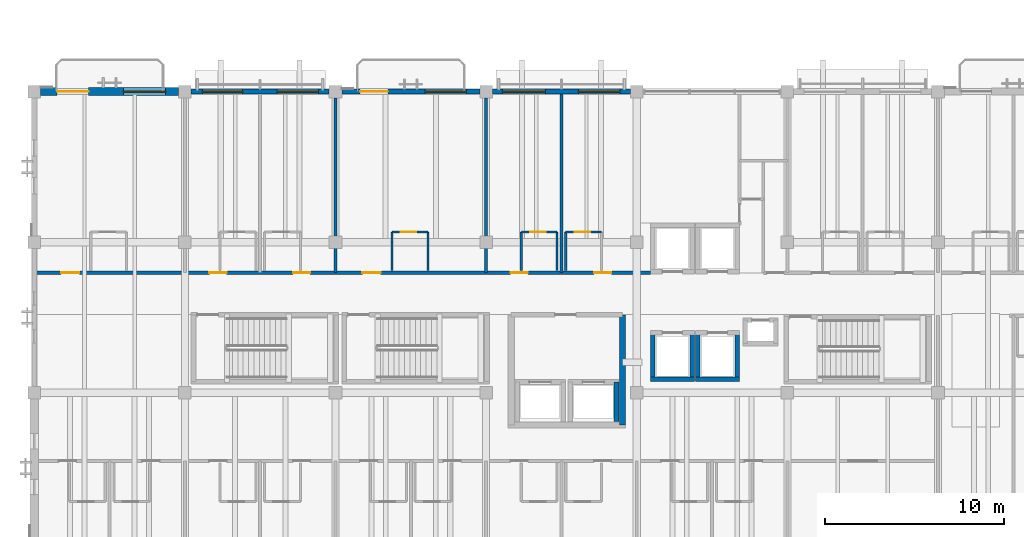
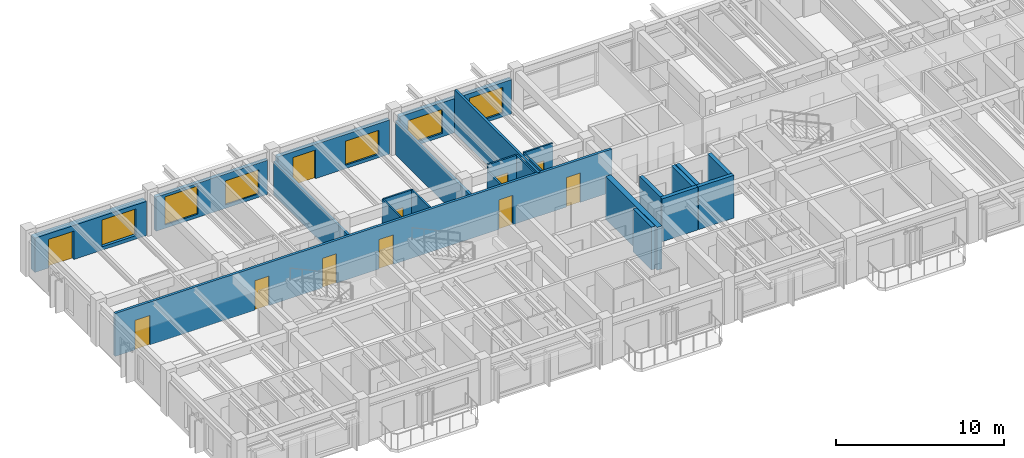
# One storey, part 37 of 64: 24 walls, 11 doors, 6 windows, 17 openings.
"""IFC4 building model written with IfcOpenShell, lengths in metres."""

from ifc_helpers import new_model, si_unit, direction, frame, frame_2d, origin, place, context, subcontext, project, spatial, rectangle, extrude, material, layer, layer_set, type_object, element, fill, save


model = new_model("IFC4")

# Units and contexts
model_context = context("Model", 3, precision=1e-05, world=origin(), true_north=direction((0.0, 1.0)))
body_context = subcontext(model_context, "Body", "Model", "MODEL_VIEW")
ifc_project = project(units=[si_unit("LENGTHUNIT", "METRE"), si_unit("AREAUNIT", "SQUARE_METRE"), si_unit("VOLUMEUNIT", "CUBIC_METRE"), si_unit("PLANEANGLEUNIT", "RADIAN"), si_unit("MASSUNIT", "GRAM", prefix="KILO")], contexts=[model_context])

# Site, building, storey
site_placement = place(None, origin())
site = spatial("IfcSite", under=ifc_project, at=site_placement, CompositionType="ELEMENT")
building_placement = place(site_placement, origin())
building = spatial("IfcBuilding", under=site, at=building_placement, Name="Cumbredor Promenade Congress Hotel", CompositionType="ELEMENT")
storey_placement = place(building_placement, frame((0.0, 0.0, 18.47998046875)))
storey = spatial("IfcBuildingStorey", under=building, at=storey_placement, Name="L05", CompositionType="ELEMENT", Elevation=18.47998046875)

# Wall
ifc_material_1 = material(Name="Concrete C50/60", Category="concrete")
ifc_layer_1 = layer(ifc_material_1, 0.35009765625, Name="Concrete C50/60", Category="concrete")
ifc_layer_set_1 = layer_set([ifc_layer_1], Name="Concrete C50/60")
wall_type_1 = type_object("IfcWallType", Name="Seismic Shear Core Wall 350mm", PredefinedType="SHEAR", material=ifc_layer_set_1)
wall_1_placement = place(storey_placement, frame((32.800048828125, 99.0, 0.0), z_axis=(0.0, 0.0, 1.0), x_axis=(0.0, 1.0, 0.0)))
element("IfcWall", 1, at=wall_1_placement, inside=storey, type_object=wall_type_1, Name="L05 Hotel Core Shear Wall E1", PredefinedType="SHEAR", context=body_context, shape_type="SweptSolid", body=[
    extrude(rectangle(XDim=6.14990234375, YDim=0.35009765625, at=frame_2d((3.074951171875, 0.0))), origin(), (0.0, 0.0, 1.0), 3.1201171875),
])

# Wall, opening, door
ifc_material_2 = material(Name="Moisture-resistant gypsum board on steel studs", Category="steel")
ifc_layer_2 = layer(ifc_material_2, 0.114990234375, Name="Moisture-resistant gypsum board on steel studs", Category="steel")
ifc_layer_set_2 = layer_set([ifc_layer_2], Name="Moisture-resistant gypsum board on steel studs")
wall_type_2 = type_object("IfcWallType", Name="WL-BATH-115", PredefinedType="PARTITIONING", material=ifc_layer_set_2)
wall_2_placement = place(storey_placement, frame((19.949951171875, 109.77001953125, 0.0), z_axis=(0.0, 0.0, 1.0), x_axis=(1.0, 0.0, 0.0)))
wall_2 = element("IfcWall", 2, at=wall_2_placement, inside=storey, type_object=wall_type_2, Name="L05 Interior Partition W-L05-BH-0504", PredefinedType="PARTITIONING", context=body_context, shape_type="SweptSolid", body=[
    extrude(rectangle(XDim=2.0, YDim=0.114990234375, at=frame_2d((1.0, 0.0))), origin(), (0.0, 0.0, 1.0), 3.1201171875),
])
opening_1_placement = place(wall_2_placement, frame((0.5, 0.0, 0.0)))
opening_1 = element("IfcOpeningElement", 3, at=opening_1_placement, cuts=wall_2, Name="Opening ID-01", PredefinedType="OPENING", context=body_context, shape_type="SweptSolid", body=[
    extrude(rectangle(XDim=0.860107421875, YDim=2.050048828125, at=frame_2d((0.43017578125, 1.02490234375))), frame((0.0, 0.0673828125, 0.0), z_axis=(0.0, -1.0, 0.0), x_axis=(1.0, 0.0, 0.0)), (0.0, 0.0, 1.0), 0.135009765625),
])
ifc_material_3 = material(Name="Kiln-dried tropical hardwood", Category="wood")
door_type_1 = type_object("IfcDoorType", Name="DR-BATH-860", OperationType="NOTDEFINED", PredefinedType="DOOR", material=ifc_material_3)
door_1_placement = place(opening_1_placement, origin())
door_1 = element("IfcDoor", 4, at=door_1_placement, inside=storey, type_object=door_type_1, Name="L05 Interior Door W-L05-BH-0504-01", OperationType="SINGLE_SWING_LEFT", OverallHeight=2.050048828125, OverallWidth=0.860107421875, PredefinedType="DOOR", context=body_context, shape_type="SweptSolid", body=[
    extrude(rectangle(XDim=0.860107421875, YDim=2.050048828125, at=frame_2d((0.43017578125, 1.02490234375))), frame((0.0, 0.02490234375, 0.0), z_axis=(0.0, -1.0, 0.0), x_axis=(1.0, 0.0, 0.0)), (0.0, 0.0, 1.0), 0.050048828125),
])
fill(opening_1, door_1)

# Walls
for number, where, z_axis, x_axis, name in (
    (5, (19.949951171875, 107.6201171875, 0.0), (0.0, 0.0, 1.0), (0.0, 1.0, 0.0), "L05 Interior Partition W-L05-BV1-0504"),
    (6, (21.949951171875, 107.6201171875, 0.0), (0.0, 0.0, 1.0), (0.0, 1.0, 0.0), "L05 Interior Partition W-L05-BV2-0504"),
):
    element("IfcWall", number, at=place(storey_placement, frame(where, z_axis=z_axis, x_axis=x_axis)), inside=storey, type_object=wall_type_2, Name=name, PredefinedType="PARTITIONING", context=body_context, shape_type="SweptSolid", body=[
        extrude(rectangle(XDim=2.14990234375, YDim=0.114990234375, at=frame_2d((1.074951171875, 0.0))), origin(), (0.0, 0.0, 1.0), 3.1201171875),
    ])

# Wall, opening, door
wall_3_placement = place(storey_placement, frame((27.159912109375, 109.77001953125, 0.0), z_axis=(0.0, 0.0, 1.0), x_axis=(1.0, 0.0, 0.0)))
wall_3 = element("IfcWall", 7, at=wall_3_placement, inside=storey, type_object=wall_type_2, Name="L05 Interior Partition W-L05-BH-0505", PredefinedType="PARTITIONING", context=body_context, shape_type="SweptSolid", body=[
    extrude(rectangle(XDim=2.0, YDim=0.114990234375, at=frame_2d((1.0, 0.0))), origin(), (0.0, 0.0, 1.0), 3.1201171875),
])
opening_2_placement = place(wall_3_placement, frame((0.5, 0.0, 0.0)))
opening_2 = element("IfcOpeningElement", 8, at=opening_2_placement, cuts=wall_3, Name="Opening ID-01", PredefinedType="OPENING", context=body_context, shape_type="SweptSolid", body=[
    extrude(rectangle(XDim=0.860107421875, YDim=2.050048828125, at=frame_2d((0.43017578125, 1.02490234375))), frame((0.0, 0.0673828125, 0.0), z_axis=(0.0, -1.0, 0.0), x_axis=(1.0, 0.0, 0.0)), (0.0, 0.0, 1.0), 0.135009765625),
])
door_2_placement = place(opening_2_placement, origin())
door_2 = element("IfcDoor", 9, at=door_2_placement, inside=storey, type_object=door_type_1, Name="L05 Interior Door W-L05-BH-0505-01", OperationType="SINGLE_SWING_RIGHT", OverallHeight=2.050048828125, OverallWidth=0.860107421875, PredefinedType="DOOR", context=body_context, shape_type="SweptSolid", body=[
    extrude(rectangle(XDim=0.860107421875, YDim=2.050048828125, at=frame_2d((0.43017578125, 1.02490234375))), frame((0.0, 0.02490234375, 0.0), z_axis=(0.0, -1.0, 0.0), x_axis=(1.0, 0.0, 0.0)), (0.0, 0.0, 1.0), 0.050048828125),
])
fill(opening_2, door_2)

# Walls
wall_4_placement = place(storey_placement, frame((27.159912109375, 107.6201171875, 0.0), z_axis=(0.0, 0.0, 1.0), x_axis=(0.0, 1.0, 0.0)))
element("IfcWall", 10, at=wall_4_placement, inside=storey, type_object=wall_type_2, Name="L05 Interior Partition W-L05-BV1-0505", PredefinedType="PARTITIONING", context=body_context, shape_type="SweptSolid", body=[
    extrude(rectangle(XDim=2.14990234375, YDim=0.114990234375, at=frame_2d((1.074951171875, 0.0))), origin(), (0.0, 0.0, 1.0), 2.64208984375),
])
wall_5_placement = place(storey_placement, frame((29.159912109375, 107.6201171875, 0.0), z_axis=(0.0, 0.0, 1.0), x_axis=(0.0, 1.0, 0.0)))
element("IfcWall", 11, at=wall_5_placement, inside=storey, type_object=wall_type_2, Name="L05 Interior Partition W-L05-BV2-0505", PredefinedType="PARTITIONING", context=body_context, shape_type="SweptSolid", body=[
    extrude(rectangle(XDim=2.14990234375, YDim=0.114990234375, at=frame_2d((1.074951171875, 0.0))), origin(), (0.0, 0.0, 1.0), 3.1201171875),
])

# Wall, opening, door
wall_6_placement = place(storey_placement, frame((29.639892578125, 109.77001953125, 0.0), z_axis=(0.0, 0.0, 1.0), x_axis=(1.0, 0.0, 0.0)))
wall_6 = element("IfcWall", 12, at=wall_6_placement, inside=storey, type_object=wall_type_2, Name="L05 Interior Partition W-L05-BH-0506", PredefinedType="PARTITIONING", context=body_context, shape_type="SweptSolid", body=[
    extrude(rectangle(XDim=2.0, YDim=0.114990234375, at=frame_2d((1.0, 0.0))), origin(), (0.0, 0.0, 1.0), 3.1201171875),
])
opening_3_placement = place(wall_6_placement, frame((0.5, 0.0, 0.0)))
opening_3 = element("IfcOpeningElement", 13, at=opening_3_placement, cuts=wall_6, Name="Opening ID-01", PredefinedType="OPENING", context=body_context, shape_type="SweptSolid", body=[
    extrude(rectangle(XDim=0.860107421875, YDim=2.050048828125, at=frame_2d((0.43017578125, 1.02490234375))), frame((0.0, 0.0673828125, 0.0), z_axis=(0.0, -1.0, 0.0), x_axis=(1.0, 0.0, 0.0)), (0.0, 0.0, 1.0), 0.135009765625),
])
door_3_placement = place(opening_3_placement, origin())
door_3 = element("IfcDoor", 14, at=door_3_placement, inside=storey, type_object=door_type_1, Name="L05 Interior Door W-L05-BH-0506-01", OperationType="SINGLE_SWING_LEFT", OverallHeight=2.050048828125, OverallWidth=0.860107421875, PredefinedType="DOOR", context=body_context, shape_type="SweptSolid", body=[
    extrude(rectangle(XDim=0.860107421875, YDim=2.050048828125, at=frame_2d((0.43017578125, 1.02490234375))), frame((0.0, 0.02490234375, 0.0), z_axis=(0.0, -1.0, 0.0), x_axis=(1.0, 0.0, 0.0)), (0.0, 0.0, 1.0), 0.050048828125),
])
fill(opening_3, door_3)

# Wall
wall_7_placement = place(storey_placement, frame((29.639892578125, 107.6201171875, 0.0), z_axis=(0.0, 0.0, 1.0), x_axis=(0.0, 1.0, 0.0)))
element("IfcWall", 15, at=wall_7_placement, inside=storey, type_object=wall_type_2, Name="L05 Interior Partition W-L05-BV1-0506", PredefinedType="PARTITIONING", context=body_context, shape_type="SweptSolid", body=[
    extrude(rectangle(XDim=2.14990234375, YDim=0.114990234375, at=frame_2d((1.074951171875, 0.0))), origin(), (0.0, 0.0, 1.0), 3.1201171875),
])

# Wall, openings, doors
ifc_material_4 = material(Name="Fire-rated hotel corridor wall")
ifc_layer_3 = layer(ifc_material_4, 0.179931640625, Name="Fire-rated hotel corridor wall")
ifc_layer_set_3 = layer_set([ifc_layer_3], Name="Fire-rated hotel corridor wall")
wall_type_3 = type_object("IfcWallType", Name="WL-CORR-180", PredefinedType="PARTITIONING", material=ifc_layer_set_3)
wall_8_placement = place(storey_placement, frame((0.1298828125, 107.5, 0.0), z_axis=(0.0, 0.0, 1.0), x_axis=(1.0, 0.0, 0.0)))
wall_8 = element("IfcWall", 16, at=wall_8_placement, inside=storey, type_object=wall_type_3, Name="L05 Interior Partition W-L05-CORR-NW", PredefinedType="PARTITIONING", context=body_context, shape_type="SweptSolid", body=[
    extrude(rectangle(XDim=34.240234375, YDim=0.179931640625, at=frame_2d((17.1201171875, 0.0))), origin(), (0.0, 0.0, 1.0), 3.1201171875),
])
opening_4_placement = place(wall_8_placement, frame((1.3701171875, 0.0, 0.0)))
opening_4 = element("IfcOpeningElement", 17, at=opening_4_placement, cuts=wall_8, Name="Opening FD-02", PredefinedType="OPENING", context=body_context, shape_type="SweptSolid", body=[
    extrude(rectangle(XDim=1.02001953125, YDim=2.14990234375, at=frame_2d((0.510009765625, 1.074951171875))), frame((0.0, 0.10009765625, 0.0), z_axis=(0.0, -1.0, 0.0), x_axis=(1.0, 0.0, 0.0)), (0.0, 0.0, 1.0), 0.199951171875),
])
opening_5_placement = place(wall_8_placement, frame((9.639892578125, 0.0, 0.0)))
opening_5 = element("IfcOpeningElement", 18, at=opening_5_placement, cuts=wall_8, Name="Opening FD-01", PredefinedType="OPENING", context=body_context, shape_type="SweptSolid", body=[
    extrude(rectangle(XDim=0.9599609375, YDim=2.14990234375, at=frame_2d((0.47998046875, 1.074951171875))), frame((0.0, 0.10009765625, 0.0), z_axis=(0.0, -1.0, 0.0), x_axis=(1.0, 0.0, 0.0)), (0.0, 0.0, 1.0), 0.199951171875),
])
opening_6_placement = place(wall_8_placement, frame((14.300048828125, 0.0, 0.0)))
opening_6 = element("IfcOpeningElement", 19, at=opening_6_placement, cuts=wall_8, Name="Opening FD-01", PredefinedType="OPENING", context=body_context, shape_type="SweptSolid", body=[
    extrude(rectangle(XDim=0.9599609375, YDim=2.14990234375, at=frame_2d((0.47998046875, 1.074951171875))), frame((0.0, 0.10009765625, 0.0), z_axis=(0.0, -1.0, 0.0), x_axis=(1.0, 0.0, 0.0)), (0.0, 0.0, 1.0), 0.199951171875),
])
opening_7_placement = place(wall_8_placement, frame((18.169921875, 0.0, 0.0)))
opening_7 = element("IfcOpeningElement", 20, at=opening_7_placement, cuts=wall_8, Name="Opening FD-02", PredefinedType="OPENING", context=body_context, shape_type="SweptSolid", body=[
    extrude(rectangle(XDim=1.02001953125, YDim=2.14990234375, at=frame_2d((0.510009765625, 1.074951171875))), frame((0.0, 0.10009765625, 0.0), z_axis=(0.0, -1.0, 0.0), x_axis=(1.0, 0.0, 0.0)), (0.0, 0.0, 1.0), 0.199951171875),
])
opening_8_placement = place(wall_8_placement, frame((26.43994140625, 0.0, 0.0)))
opening_8 = element("IfcOpeningElement", 21, at=opening_8_placement, cuts=wall_8, Name="Opening FD-01", PredefinedType="OPENING", context=body_context, shape_type="SweptSolid", body=[
    extrude(rectangle(XDim=0.9599609375, YDim=2.14990234375, at=frame_2d((0.47998046875, 1.074951171875))), frame((0.0, 0.10009765625, 0.0), z_axis=(0.0, -1.0, 0.0), x_axis=(1.0, 0.0, 0.0)), (0.0, 0.0, 1.0), 0.199951171875),
])
opening_9_placement = place(wall_8_placement, frame((31.10009765625, 0.0, 0.0)))
opening_9 = element("IfcOpeningElement", 22, at=opening_9_placement, cuts=wall_8, Name="Opening FD-01", PredefinedType="OPENING", context=body_context, shape_type="SweptSolid", body=[
    extrude(rectangle(XDim=0.9599609375, YDim=2.14990234375, at=frame_2d((0.47998046875, 1.074951171875))), frame((0.0, 0.10009765625, 0.0), z_axis=(0.0, -1.0, 0.0), x_axis=(1.0, 0.0, 0.0)), (0.0, 0.0, 1.0), 0.199951171875),
])
ifc_material_5 = material(Name="Solid-core fire-rated tropical hardwood", Category="wood")
door_type_2 = type_object("IfcDoorType", Name="DR-GUEST-FD30-1000", OperationType="NOTDEFINED", PredefinedType="DOOR", material=ifc_material_5)
door_4_placement = place(opening_4_placement, origin())
door_4 = element("IfcDoor", 23, at=door_4_placement, inside=storey, type_object=door_type_2, Name="L05 Interior Door W-L05-CORR-NW-01", OperationType="SINGLE_SWING_LEFT", OverallHeight=2.14990234375, OverallWidth=1.02001953125, PredefinedType="DOOR", context=body_context, shape_type="SweptSolid", body=[
    extrude(rectangle(XDim=1.02001953125, YDim=2.14990234375, at=frame_2d((0.510009765625, 1.074951171875))), frame((0.0, 0.02490234375, 0.0), z_axis=(0.0, -1.0, 0.0), x_axis=(1.0, 0.0, 0.0)), (0.0, 0.0, 1.0), 0.050048828125),
])
fill(opening_4, door_4)
door_5_placement = place(opening_7_placement, origin())
door_5 = element("IfcDoor", 24, at=door_5_placement, inside=storey, type_object=door_type_2, Name="L05 Interior Door W-L05-CORR-NW-04", OperationType="SINGLE_SWING_RIGHT", OverallHeight=2.14990234375, OverallWidth=1.02001953125, PredefinedType="DOOR", context=body_context, shape_type="SweptSolid", body=[
    extrude(rectangle(XDim=1.02001953125, YDim=2.14990234375, at=frame_2d((0.510009765625, 1.074951171875))), frame((0.0, 0.02490234375, 0.0), z_axis=(0.0, -1.0, 0.0), x_axis=(1.0, 0.0, 0.0)), (0.0, 0.0, 1.0), 0.050048828125),
])
fill(opening_7, door_5)
door_type_3 = type_object("IfcDoorType", Name="DR-GUEST-FD30-950", OperationType="NOTDEFINED", PredefinedType="DOOR", material=ifc_material_5)
door_6_placement = place(opening_5_placement, origin())
door_6 = element("IfcDoor", 25, at=door_6_placement, inside=storey, type_object=door_type_3, Name="L05 Interior Door W-L05-CORR-NW-02", OperationType="SINGLE_SWING_RIGHT", OverallHeight=2.14990234375, OverallWidth=0.9599609375, PredefinedType="DOOR", context=body_context, shape_type="SweptSolid", body=[
    extrude(rectangle(XDim=0.9599609375, YDim=2.14990234375, at=frame_2d((0.47998046875, 1.074951171875))), frame((0.0, 0.02490234375, 0.0), z_axis=(0.0, -1.0, 0.0), x_axis=(1.0, 0.0, 0.0)), (0.0, 0.0, 1.0), 0.050048828125),
])
fill(opening_5, door_6)
door_7_placement = place(opening_6_placement, origin())
door_7 = element("IfcDoor", 26, at=door_7_placement, inside=storey, type_object=door_type_3, Name="L05 Interior Door W-L05-CORR-NW-03", OperationType="SINGLE_SWING_LEFT", OverallHeight=2.14990234375, OverallWidth=0.9599609375, PredefinedType="DOOR", context=body_context, shape_type="SweptSolid", body=[
    extrude(rectangle(XDim=0.9599609375, YDim=2.14990234375, at=frame_2d((0.47998046875, 1.074951171875))), frame((0.0, 0.02490234375, 0.0), z_axis=(0.0, -1.0, 0.0), x_axis=(1.0, 0.0, 0.0)), (0.0, 0.0, 1.0), 0.050048828125),
])
fill(opening_6, door_7)
door_8_placement = place(opening_8_placement, origin())
door_8 = element("IfcDoor", 27, at=door_8_placement, inside=storey, type_object=door_type_3, Name="L05 Interior Door W-L05-CORR-NW-05", OperationType="SINGLE_SWING_LEFT", OverallHeight=2.14990234375, OverallWidth=0.9599609375, PredefinedType="DOOR", context=body_context, shape_type="SweptSolid", body=[
    extrude(rectangle(XDim=0.9599609375, YDim=2.14990234375, at=frame_2d((0.47998046875, 1.074951171875))), frame((0.0, 0.02490234375, 0.0), z_axis=(0.0, -1.0, 0.0), x_axis=(1.0, 0.0, 0.0)), (0.0, 0.0, 1.0), 0.050048828125),
])
fill(opening_8, door_8)
door_9_placement = place(opening_9_placement, origin())
door_9 = element("IfcDoor", 28, at=door_9_placement, inside=storey, type_object=door_type_3, Name="L05 Interior Door W-L05-CORR-NW-06", OperationType="SINGLE_SWING_RIGHT", OverallHeight=2.14990234375, OverallWidth=0.9599609375, PredefinedType="DOOR", context=body_context, shape_type="SweptSolid", body=[
    extrude(rectangle(XDim=0.9599609375, YDim=2.14990234375, at=frame_2d((0.47998046875, 1.074951171875))), frame((0.0, 0.02490234375, 0.0), z_axis=(0.0, -1.0, 0.0), x_axis=(1.0, 0.0, 0.0)), (0.0, 0.0, 1.0), 0.050048828125),
])
fill(opening_9, door_9)

# Wall, openings, windows
ifc_material_6 = material(Name="Concrete C40/50", Category="concrete")
ifc_layer_4 = layer(ifc_material_6, 0.260009765625, Name="Concrete C40/50", Category="concrete")
ifc_layer_set_4 = layer_set([ifc_layer_4], Name="Concrete C40/50")
wall_type_4 = type_object("IfcWallType", Name="WL-EXT-260", PredefinedType="SOLIDWALL", material=ifc_layer_set_4)
wall_9_placement = place(storey_placement, frame((8.7509765625, 117.60009765625, 0.0), z_axis=(0.0, 0.0, 1.0), x_axis=(1.0, 0.0, 0.0)))
wall_9 = element("IfcWall", 29, at=wall_9_placement, inside=storey, type_object=wall_type_4, Name="L05 Stepped Congress Hotel Wing North Envelope Wall 2", PredefinedType="SOLIDWALL", context=body_context, shape_type="SweptSolid", body=[
    extrude(rectangle(XDim=7.697998046875, YDim=0.260009765625, at=frame_2d((3.84912109375, 0.0))), origin(), (0.0, 0.0, 1.0), 2.494140625),
])
opening_10_placement = place(wall_9_placement, frame((0.6240234375, 0.0, 0.25)))
opening_10 = element("IfcOpeningElement", 30, at=opening_10_placement, cuts=wall_9, Name="Opening WN-13", PredefinedType="OPENING", context=body_context, shape_type="SweptSolid", body=[
    extrude(rectangle(XDim=2.25, YDim=2.050048828125, at=frame_2d((1.125, 1.02490234375))), frame((0.0, 0.14013671875, 0.0), z_axis=(0.0, -1.0, 0.0), x_axis=(1.0, 0.0, 0.0)), (0.0, 0.0, 1.0), 0.280029296875),
])
opening_11_placement = place(wall_9_placement, frame((4.799072265625, 0.0, 0.25)))
opening_11 = element("IfcOpeningElement", 31, at=opening_11_placement, cuts=wall_9, Name="Opening WN-25", PredefinedType="OPENING", context=body_context, shape_type="SweptSolid", body=[
    extrude(rectangle(XDim=2.300048828125, YDim=1.75, at=frame_2d((1.14990234375, 0.875))), frame((0.0, 0.14013671875, 0.0), z_axis=(0.0, -1.0, 0.0), x_axis=(1.0, 0.0, 0.0)), (0.0, 0.0, 1.0), 0.280029296875),
])
ifc_material_7 = material(Name="Thermally broken anodized aluminium and low-E glass", Category="aluminium")
window_type_1 = type_object("IfcWindowType", Name="Hospitality Floor-to-Ceiling Window WN-13 2250x2050", PartitioningType="DOUBLE_PANEL_VERTICAL", PredefinedType="WINDOW", material=ifc_material_7)
window_1_placement = place(opening_10_placement, origin())
window_1 = element("IfcWindow", 32, at=window_1_placement, inside=storey, type_object=window_type_1, Name="L05 Wide Hospitality Window 0558", OverallHeight=2.050048828125, OverallWidth=2.25, PartitioningType="DOUBLE_PANEL_VERTICAL", PredefinedType="WINDOW", context=body_context, shape_type="SweptSolid", body=[
    extrude(rectangle(XDim=2.25, YDim=2.050048828125, at=frame_2d((1.125, 1.02490234375))), frame((0.0, 0.030029296875, 0.0), z_axis=(0.0, -1.0, 0.0), x_axis=(1.0, 0.0, 0.0)), (0.0, 0.0, 1.0), 0.06005859375),
])
fill(opening_10, window_1)
window_type_2 = type_object("IfcWindowType", Name="Hospitality Floor-to-Ceiling Window WN-25 2300x1750", PartitioningType="DOUBLE_PANEL_VERTICAL", PredefinedType="WINDOW", material=ifc_material_7)
window_2_placement = place(opening_11_placement, origin())
window_2 = element("IfcWindow", 33, at=window_2_placement, inside=storey, type_object=window_type_2, Name="L05 Wide Hospitality Window 0559", OverallHeight=1.75, OverallWidth=2.300048828125, PartitioningType="DOUBLE_PANEL_VERTICAL", PredefinedType="WINDOW", context=body_context, shape_type="SweptSolid", body=[
    extrude(rectangle(XDim=2.300048828125, YDim=1.75, at=frame_2d((1.14990234375, 0.875))), frame((0.0, 0.030029296875, 0.0), z_axis=(0.0, -1.0, 0.0), x_axis=(1.0, 0.0, 0.0)), (0.0, 0.0, 1.0), 0.06005859375),
])
fill(opening_11, window_2)

# Wall, openings, door, window
ifc_layer_5 = layer(ifc_material_6, 0.280029296875, Name="Concrete C40/50", Category="concrete")
ifc_layer_set_5 = layer_set([ifc_layer_5], Name="Concrete C40/50")
wall_type_5 = type_object("IfcWallType", Name="WL-EXT-280", PredefinedType="SOLIDWALL", material=ifc_layer_set_5)
wall_10_placement = place(storey_placement, frame((17.15087890625, 117.60009765625, 0.0), z_axis=(0.0, 0.0, 1.0), x_axis=(1.0, 0.0, 0.0)))
wall_10 = element("IfcWall", 34, at=wall_10_placement, inside=storey, type_object=wall_type_5, Name="L05 Stepped Congress Hotel Wing North Envelope Wall 3", PredefinedType="SOLIDWALL", context=body_context, shape_type="SweptSolid", body=[
    extrude(rectangle(XDim=7.6982421875, YDim=0.280029296875, at=frame_2d((3.84912109375, 0.0))), origin(), (0.0, 0.0, 1.0), 2.494140625),
])
opening_12_placement = place(wall_10_placement, frame((1.02392578125, 0.0, 0.0)))
opening_12 = element("IfcOpeningElement", 35, at=opening_12_placement, cuts=wall_10, Name="Opening TD-01", PredefinedType="OPENING", context=body_context, shape_type="SweptSolid", body=[
    extrude(rectangle(XDim=1.550048828125, YDim=2.080078125, at=frame_2d((0.77490234375, 1.0400390625))), frame((0.0, 0.14990234375, 0.0), z_axis=(0.0, -1.0, 0.0), x_axis=(1.0, 0.0, 0.0)), (0.0, 0.0, 1.0), 0.300048828125),
])
opening_13_placement = place(wall_10_placement, frame((4.64892578125, 0.0, 0.25)))
opening_13 = element("IfcOpeningElement", 36, at=opening_13_placement, cuts=wall_10, Name="Opening WN-25", PredefinedType="OPENING", context=body_context, shape_type="SweptSolid", body=[
    extrude(rectangle(XDim=2.300048828125, YDim=1.75, at=frame_2d((1.14990234375, 0.875))), frame((0.0, 0.14990234375, 0.0), z_axis=(0.0, -1.0, 0.0), x_axis=(1.0, 0.0, 0.0)), (0.0, 0.0, 1.0), 0.300048828125),
])
ifc_material_8 = material(Name="Thermally broken anodized aluminium and laminated safety glass", Category="aluminium")
door_type_4 = type_object("IfcDoorType", Name="EXT-DR-TER-1550x2080", OperationType="DOUBLE_DOOR_SINGLE_SWING", PredefinedType="DOOR", material=ifc_material_8)
door_10_placement = place(opening_12_placement, origin())
door_10 = element("IfcDoor", 37, at=door_10_placement, inside=storey, type_object=door_type_4, Name="L05 Guestroom Veranda Balcony Door 063", OperationType="DOUBLE_DOOR_SINGLE_SWING", OverallHeight=2.080078125, OverallWidth=1.550048828125, PredefinedType="DOOR", context=body_context, shape_type="SweptSolid", body=[
    extrude(rectangle(XDim=1.550048828125, YDim=2.080078125, at=frame_2d((0.77490234375, 1.0400390625))), frame((0.0, 0.02490234375, 0.0), z_axis=(0.0, -1.0, 0.0), x_axis=(1.0, 0.0, 0.0)), (0.0, 0.0, 1.0), 0.050048828125),
])
fill(opening_12, door_10)
window_3_placement = place(opening_13_placement, origin())
window_3 = element("IfcWindow", 38, at=window_3_placement, inside=storey, type_object=window_type_2, Name="L05 Veranda Companion Floor-to-Ceiling Window 0560", OverallHeight=1.75, OverallWidth=2.300048828125, PartitioningType="DOUBLE_PANEL_VERTICAL", PredefinedType="WINDOW", context=body_context, shape_type="SweptSolid", body=[
    extrude(rectangle(XDim=2.300048828125, YDim=1.75, at=frame_2d((1.14990234375, 0.875))), frame((0.0, 0.030029296875, 0.0), z_axis=(0.0, -1.0, 0.0), x_axis=(1.0, 0.0, 0.0)), (0.0, 0.0, 1.0), 0.06005859375),
])
fill(opening_13, window_3)

# Wall, openings, windows
ifc_layer_6 = layer(ifc_material_6, 0.300048828125, Name="Concrete C40/50", Category="concrete")
ifc_layer_set_6 = layer_set([ifc_layer_6], Name="Concrete C40/50")
wall_type_6 = type_object("IfcWallType", Name="WL-EXT-300", PredefinedType="SOLIDWALL", material=ifc_layer_set_6)
wall_11_placement = place(storey_placement, frame((25.551025390625, 117.60009765625, 0.0), z_axis=(0.0, 0.0, 1.0), x_axis=(1.0, 0.0, 0.0)))
wall_11 = element("IfcWall", 39, at=wall_11_placement, inside=storey, type_object=wall_type_6, Name="L05 Stepped Congress Hotel Wing North Envelope Wall 4", PredefinedType="SOLIDWALL", context=body_context, shape_type="SweptSolid", body=[
    extrude(rectangle(XDim=7.697998046875, YDim=0.300048828125, at=frame_2d((3.84912109375, 0.0))), origin(), (0.0, 0.0, 1.0), 2.494140625),
])
opening_14_placement = place(wall_11_placement, frame((0.549072265625, 0.0, 0.25)))
opening_14 = element("IfcOpeningElement", 40, at=opening_14_placement, cuts=wall_11, Name="Opening WN-26", PredefinedType="OPENING", context=body_context, shape_type="SweptSolid", body=[
    extrude(rectangle(XDim=2.39990234375, YDim=1.75, at=frame_2d((1.199951171875, 0.875))), frame((0.0, 0.16015625, 0.0), z_axis=(0.0, -1.0, 0.0), x_axis=(1.0, 0.0, 0.0)), (0.0, 0.0, 1.0), 0.320068359375),
])
opening_15_placement = place(wall_11_placement, frame((4.7890625, 0.0, 0.25)))
opening_15 = element("IfcOpeningElement", 41, at=opening_15_placement, cuts=wall_11, Name="Opening WN-36", PredefinedType="OPENING", context=body_context, shape_type="SweptSolid", body=[
    extrude(rectangle(XDim=2.320068359375, YDim=1.89990234375, at=frame_2d((1.16015625, 0.949951171875))), frame((0.0, 0.16015625, 0.0), z_axis=(0.0, -1.0, 0.0), x_axis=(1.0, 0.0, 0.0)), (0.0, 0.0, 1.0), 0.320068359375),
])
window_type_3 = type_object("IfcWindowType", Name="Hospitality Floor-to-Ceiling Window WN-26 2400x1750", PartitioningType="DOUBLE_PANEL_VERTICAL", PredefinedType="WINDOW", material=ifc_material_7)
window_4_placement = place(opening_14_placement, origin())
window_4 = element("IfcWindow", 42, at=window_4_placement, inside=storey, type_object=window_type_3, Name="L05 Wide Hospitality Window 0561", OverallHeight=1.75, OverallWidth=2.39990234375, PartitioningType="DOUBLE_PANEL_VERTICAL", PredefinedType="WINDOW", context=body_context, shape_type="SweptSolid", body=[
    extrude(rectangle(XDim=2.39990234375, YDim=1.75, at=frame_2d((1.199951171875, 0.875))), frame((0.0, 0.030029296875, 0.0), z_axis=(0.0, -1.0, 0.0), x_axis=(1.0, 0.0, 0.0)), (0.0, 0.0, 1.0), 0.06005859375),
])
fill(opening_14, window_4)
window_type_4 = type_object("IfcWindowType", Name="Hospitality Floor-to-Ceiling Window WN-36 2320x1900", PartitioningType="DOUBLE_PANEL_VERTICAL", PredefinedType="WINDOW", material=ifc_material_7)
window_5_placement = place(opening_15_placement, origin())
window_5 = element("IfcWindow", 43, at=window_5_placement, inside=storey, type_object=window_type_4, Name="L05 Wide Hospitality Window 0562", OverallHeight=1.89990234375, OverallWidth=2.320068359375, PartitioningType="DOUBLE_PANEL_VERTICAL", PredefinedType="WINDOW", context=body_context, shape_type="SweptSolid", body=[
    extrude(rectangle(XDim=2.320068359375, YDim=1.89990234375, at=frame_2d((1.16015625, 0.949951171875))), frame((0.0, 0.030029296875, 0.0), z_axis=(0.0, -1.0, 0.0), x_axis=(1.0, 0.0, 0.0)), (0.0, 0.0, 1.0), 0.06005859375),
])
fill(opening_15, window_5)

# Wall, openings, door, window
ifc_layer_7 = layer(ifc_material_6, 0.449951171875, Name="Concrete C40/50", Category="concrete")
ifc_layer_set_7 = layer_set([ifc_layer_7], Name="Concrete C40/50")
wall_type_7 = type_object("IfcWallType", Name="WL-EXT-450", PredefinedType="SOLIDWALL", material=ifc_layer_set_7)
wall_12_placement = place(storey_placement, frame((0.35107421875, 117.60009765625, 0.0), z_axis=(0.0, 0.0, 1.0), x_axis=(1.0, 0.0, 0.0)))
wall_12 = element("IfcWall", 44, at=wall_12_placement, inside=storey, type_object=wall_type_7, Name="L05 Stepped Congress Hotel Wing North Envelope Wall 1", PredefinedType="SOLIDWALL", context=body_context, shape_type="SweptSolid", body=[
    extrude(rectangle(XDim=7.697998046875, YDim=0.449951171875, at=frame_2d((3.84912109375, 0.0))), origin(), (0.0, 0.0, 1.0), 2.494140625),
])
opening_16_placement = place(wall_12_placement, frame((0.924072265625, 0.0, 0.0)))
opening_16 = element("IfcOpeningElement", 45, at=opening_16_placement, cuts=wall_12, Name="Opening TD-03", PredefinedType="OPENING", context=body_context, shape_type="SweptSolid", body=[
    extrude(rectangle(XDim=1.75, YDim=2.080078125, at=frame_2d((0.875, 1.0400390625))), frame((0.0, 0.23486328125, 0.0), z_axis=(0.0, -1.0, 0.0), x_axis=(1.0, 0.0, 0.0)), (0.0, 0.0, 1.0), 0.469970703125),
])
opening_17_placement = place(wall_12_placement, frame((4.6240234375, 0.0, 0.25)))
opening_17 = element("IfcOpeningElement", 46, at=opening_17_placement, cuts=wall_12, Name="Opening WN-08", PredefinedType="OPENING", context=body_context, shape_type="SweptSolid", body=[
    extrude(rectangle(XDim=2.35009765625, YDim=1.949951171875, at=frame_2d((1.175048828125, 0.97509765625))), frame((0.0, 0.23486328125, 0.0), z_axis=(0.0, -1.0, 0.0), x_axis=(1.0, 0.0, 0.0)), (0.0, 0.0, 1.0), 0.469970703125),
])
door_type_5 = type_object("IfcDoorType", Name="EXT-DR-TER-1750x2080", OperationType="DOUBLE_DOOR_SINGLE_SWING", PredefinedType="DOOR", material=ifc_material_8)
door_11_placement = place(opening_16_placement, origin())
door_11 = element("IfcDoor", 47, at=door_11_placement, inside=storey, type_object=door_type_5, Name="L05 Guestroom Veranda Balcony Door 062", OperationType="DOUBLE_DOOR_SINGLE_SWING", OverallHeight=2.080078125, OverallWidth=1.75, PredefinedType="DOOR", context=body_context, shape_type="SweptSolid", body=[
    extrude(rectangle(XDim=1.75, YDim=2.080078125, at=frame_2d((0.875, 1.0400390625))), frame((0.0, 0.02490234375, 0.0), z_axis=(0.0, -1.0, 0.0), x_axis=(1.0, 0.0, 0.0)), (0.0, 0.0, 1.0), 0.050048828125),
])
fill(opening_16, door_11)
window_type_5 = type_object("IfcWindowType", Name="Hospitality Floor-to-Ceiling Window WN-08 2350x1950", PartitioningType="DOUBLE_PANEL_VERTICAL", PredefinedType="WINDOW", material=ifc_material_7)
window_6_placement = place(opening_17_placement, origin())
window_6 = element("IfcWindow", 48, at=window_6_placement, inside=storey, type_object=window_type_5, Name="L05 Veranda Companion Floor-to-Ceiling Window 0557", OverallHeight=1.949951171875, OverallWidth=2.35009765625, PartitioningType="DOUBLE_PANEL_VERTICAL", PredefinedType="WINDOW", context=body_context, shape_type="SweptSolid", body=[
    extrude(rectangle(XDim=2.35009765625, YDim=1.949951171875, at=frame_2d((1.175048828125, 0.97509765625))), frame((0.0, 0.030029296875, 0.0), z_axis=(0.0, -1.0, 0.0), x_axis=(1.0, 0.0, 0.0)), (0.0, 0.0, 1.0), 0.06005859375),
])
fill(opening_17, window_6)

# Walls
ifc_layer_8 = layer(ifc_material_6, 0.2548828125, Name="Concrete C40/50", Category="concrete")
ifc_layer_set_8 = layer_set([ifc_layer_8], Name="Concrete C40/50")
wall_type_8 = type_object("IfcWallType", Name="WL-SHAFT-250", PredefinedType="SOLIDWALL", material=ifc_layer_set_8)
wall_13_placement = place(storey_placement, frame((32.469970703125, 99.199951171875, 0.0), z_axis=(0.0, 0.0, 1.0), x_axis=(0.0, 1.0, 0.0)))
element("IfcWall", 49, at=wall_13_placement, inside=storey, type_object=wall_type_8, Name="SHAFT-FF-02-L05 Shaft Wall East", PredefinedType="SOLIDWALL", context=body_context, shape_type="SweptSolid", body=[
    extrude(rectangle(XDim=2.199951171875, YDim=0.2548828125, at=frame_2d((1.10009765625, 0.0))), origin(), (0.0, 0.0, 1.0), 3.1201171875),
])
wall_14_placement = place(storey_placement, frame((34.37255859375, 101.550048828125, 0.0), z_axis=(0.0, 0.0, 1.0), x_axis=(1.0, 0.0, 0.0)))
element("IfcWall", 50, at=wall_14_placement, inside=storey, type_object=wall_type_8, Name="SHAFT-PL-03-L05 Shaft Wall South", PredefinedType="SOLIDWALL", context=body_context, shape_type="SweptSolid", body=[
    extrude(rectangle(XDim=2.454833984375, YDim=0.2548828125, at=frame_2d((1.2275390625, 0.0))), origin(), (0.0, 0.0, 1.0), 3.1201171875),
])
for number, where, z_axis, x_axis, name in (
    (51, (34.5, 101.550048828125, 0.0), (0.0, 0.0, 1.0), (0.0, 1.0, 0.0), "SHAFT-PL-03-L05 Shaft Wall West"),
    (52, (36.699951171875, 101.550048828125, 0.0), (0.0, 0.0, 1.0), (0.0, 1.0, 0.0), "SHAFT-PL-03-L05 Shaft Wall East"),
):
    element("IfcWall", number, at=place(storey_placement, frame(where, z_axis=z_axis, x_axis=x_axis)), inside=storey, type_object=wall_type_8, Name=name, PredefinedType="SOLIDWALL", context=body_context, shape_type="SweptSolid", body=[
        extrude(rectangle(XDim=2.599853515625, YDim=0.2548828125, at=frame_2d((1.2998046875, 0.0))), origin(), (0.0, 0.0, 1.0), 3.1201171875),
    ])
wall_15_placement = place(storey_placement, frame((36.87255859375, 101.550048828125, 0.0), z_axis=(0.0, 0.0, 1.0), x_axis=(1.0, 0.0, 0.0)))
element("IfcWall", 53, at=wall_15_placement, inside=storey, type_object=wall_type_8, Name="SHAFT-PL-04-L05 Shaft Wall South", PredefinedType="SOLIDWALL", context=body_context, shape_type="SweptSolid", body=[
    extrude(rectangle(XDim=2.454833984375, YDim=0.2548828125, at=frame_2d((1.2275390625, 0.0))), origin(), (0.0, 0.0, 1.0), 3.1201171875),
])
for number, where, z_axis, x_axis, name in (
    (54, (37.0, 101.550048828125, 0.0), (0.0, 0.0, 1.0), (0.0, 1.0, 0.0), "SHAFT-PL-04-L05 Shaft Wall West"),
    (55, (39.199951171875, 101.550048828125, 0.0), (0.0, 0.0, 1.0), (0.0, 1.0, 0.0), "SHAFT-PL-04-L05 Shaft Wall East"),
):
    element("IfcWall", number, at=place(storey_placement, frame(where, z_axis=z_axis, x_axis=x_axis)), inside=storey, type_object=wall_type_8, Name=name, PredefinedType="SOLIDWALL", context=body_context, shape_type="SweptSolid", body=[
        extrude(rectangle(XDim=2.599853515625, YDim=0.2548828125, at=frame_2d((1.2998046875, 0.0))), origin(), (0.0, 0.0, 1.0), 3.1201171875),
    ])
ifc_material_9 = material(Name="Fire-rated acoustic double-stud partition")
ifc_layer_9 = layer(ifc_material_9, 0.1650390625, Name="Fire-rated acoustic double-stud partition")
ifc_layer_set_9 = layer_set([ifc_layer_9], Name="Fire-rated acoustic double-stud partition")
wall_type_9 = type_object("IfcWallType", Name="WL-UNIT-165", PredefinedType="PARTITIONING", material=ifc_layer_set_9)
wall_16_placement = place(storey_placement, frame((16.800048828125, 107.5, 0.0), z_axis=(0.0, 0.0, 1.0), x_axis=(0.0, 1.0, 0.0)))
element("IfcWall", 56, at=wall_16_placement, inside=storey, type_object=wall_type_9, Name="L05 Interior Partition W-L05-N-DIV-2-G", PredefinedType="PARTITIONING", context=body_context, shape_type="SweptSolid", body=[
    extrude(rectangle(XDim=9.75, YDim=0.1650390625, at=frame_2d((4.875, 0.0))), origin(), (0.0, 0.0, 1.0), 2.455078125),
])
wall_17_placement = place(storey_placement, frame((29.39990234375, 107.5, 0.0), z_axis=(0.0, 0.0, 1.0), x_axis=(0.0, 1.0, 0.0)))
element("IfcWall", 57, at=wall_17_placement, inside=storey, type_object=wall_type_9, Name="L05 Interior Partition W-L05-N-DIV-3-M", PredefinedType="PARTITIONING", context=body_context, shape_type="SweptSolid", body=[
    extrude(rectangle(XDim=9.949951171875, YDim=0.1650390625, at=frame_2d((4.97509765625, 0.0))), origin(), (0.0, 0.0, 1.0), 3.1201171875),
])
wall_18_placement = place(storey_placement, frame((25.199951171875, 107.5, 0.0), z_axis=(0.0, 0.0, 1.0), x_axis=(0.0, 1.0, 0.0)))
element("IfcWall", 58, at=wall_18_placement, inside=storey, type_object=wall_type_9, Name="L05 Interior Partition W-L05-N-DIV-3-G", PredefinedType="PARTITIONING", context=body_context, shape_type="SweptSolid", body=[
    extrude(rectangle(XDim=9.75, YDim=0.1650390625, at=frame_2d((4.875, 0.0))), origin(), (0.0, 0.0, 1.0), 2.455078125),
])

save(model, "model.ifc")
